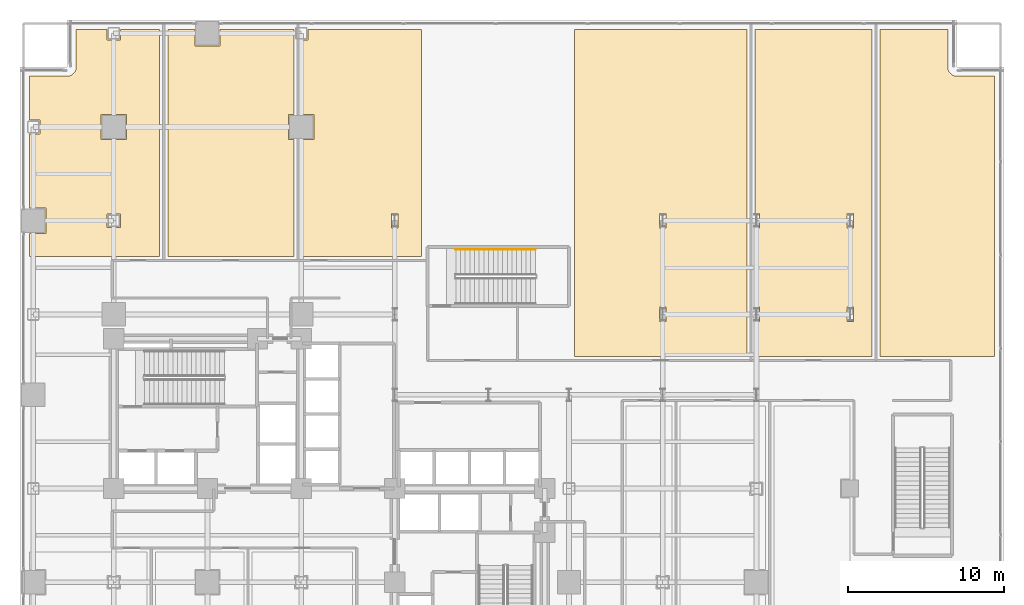
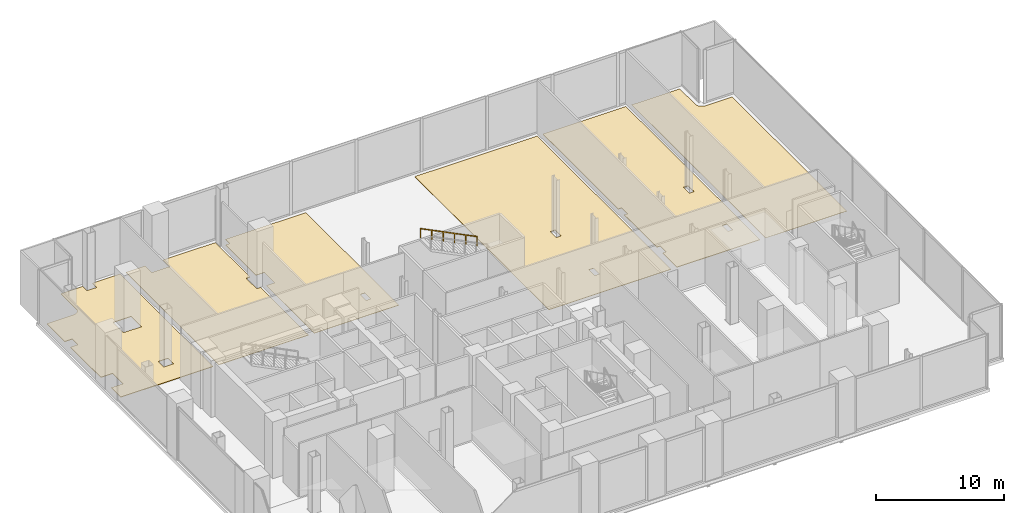
# One storey, part 27 of 27: 6 coverings, 1 railing.
"""IFC4 building model written with IfcOpenShell, lengths in metres."""

from ifc_helpers import new_model, si_unit, direction, frame, origin, origin_2d, place, context, subcontext, project, spatial, polyline, rectangle, outline, extrude, material, layer, layer_set, type_object, element, save


model = new_model("IFC4")

# Units and contexts
model_context = context("Model", 3, precision=1e-05, world=origin(), true_north=direction((0.0, 1.0)))
body_context = subcontext(model_context, "Body", "Model", "MODEL_VIEW")
ifc_project = project(units=[si_unit("LENGTHUNIT", "METRE"), si_unit("AREAUNIT", "SQUARE_METRE"), si_unit("VOLUMEUNIT", "CUBIC_METRE"), si_unit("PLANEANGLEUNIT", "RADIAN"), si_unit("MASSUNIT", "GRAM", prefix="KILO"), si_unit("THERMODYNAMICTEMPERATUREUNIT", "KELVIN"), si_unit("POWERUNIT", "WATT")], contexts=[model_context])

# Site, building, storey
site_placement = place(None, origin())
site = spatial("IfcSite", under=ifc_project, at=site_placement, CompositionType="ELEMENT")
building_placement = place(site_placement, origin())
building = spatial("IfcBuilding", under=site, at=building_placement, Name="Svarakhadi Broadcast Tower", CompositionType="ELEMENT")
storey_placement = place(building_placement, frame((0.0, 0.0, 16.5)))
storey = spatial("IfcBuildingStorey", under=building, at=storey_placement, Name="L03", CompositionType="ELEMENT", Elevation=16.5)

# Coverings
ifc_material_1 = material(Name="Heavy-Duty Anti-Static Broadcast Raised Access Floor", Category="steel")
ifc_layer_1 = layer(ifc_material_1, 0.050048828125)
ifc_layer_set_1 = layer_set([ifc_layer_1], Name="Heavy-Duty Anti-Static Broadcast Raised Access Floor")
covering_type_1 = type_object("IfcCoveringType", Name="Cov_Floor_Access", PredefinedType="FLOORING", material=ifc_layer_set_1)
covering_1_placement = place(storey_placement, origin())
element("IfcCovering", 1, at=covering_1_placement, inside=storey, type_object=covering_type_1, Name="L03 L03 Editorial Conference Room Floor Finish", PredefinedType="FLOORING", context=body_context, shape_type="SweptSolid", body=[
    extrude(outline(polyline([(54.5400390625, 47.389892578125), (54.5400390625, 26.4599609375), (47.06005859375, 26.4599609375), (47.06005859375, 28.68994140625), (47.360107421875, 28.68994140625), (47.360107421875, 29.610107421875), (47.06005859375, 29.610107421875), (47.06005859375, 34.68994140625), (47.360107421875, 34.68994140625), (47.360107421875, 35.610107421875), (47.06005859375, 35.610107421875), (47.06005859375, 47.389892578125), (54.5400390625, 47.389892578125)]), holes=[polyline([(52.93994140625, 28.68994140625), (53.360107421875, 28.68994140625), (53.360107421875, 29.610107421875), (52.93994140625, 29.610107421875), (52.93994140625, 28.68994140625)]), polyline([(52.93994140625, 34.68994140625), (53.360107421875, 34.68994140625), (53.360107421875, 35.610107421875), (52.93994140625, 35.610107421875), (52.93994140625, 34.68994140625)])]), origin(), (0.0, 0.0, 1.0), 0.050048828125),
])
covering_2_placement = place(storey_placement, origin())
element("IfcCovering", 2, at=covering_2_placement, inside=storey, type_object=covering_type_1, Name="L03 L03 Radio Drama Studio Floor Finish", PredefinedType="FLOORING", context=body_context, shape_type="SweptSolid", body=[
    extrude(outline(polyline([(0.610107421875, 32.860107421875), (0.610107421875, 34.340087890625), (1.659912109375, 34.340087890625), (1.659912109375, 35.9599609375), (0.610107421875, 35.9599609375), (0.610107421875, 40.715087890625), (1.284912109375, 40.715087890625), (1.284912109375, 41.5849609375), (0.610107421875, 41.5849609375), (0.610107421875, 44.39990234375), (3.0, 44.39990234375), (3.009033203125, 44.39990234375), (3.050048828125, 44.402099609375), (3.06689453125, 44.404052734375), (3.10791015625, 44.409912109375), (3.1259765625, 44.4130859375), (3.166015625, 44.423095703125), (3.18310546875, 44.428955078125), (3.221923828125, 44.443115234375), (3.239990234375, 44.449951171875), (3.277099609375, 44.468017578125), (3.291015625, 44.47607421875), (3.325927734375, 44.4970703125), (3.339111328125, 44.5048828125), (3.3720703125, 44.529052734375), (3.386962890625, 44.541015625), (3.41796875, 44.569091796875), (3.430908203125, 44.58203125), (3.458984375, 44.613037109375), (3.470947265625, 44.6279296875), (3.4951171875, 44.660888671875), (3.5029296875, 44.674072265625), (3.52392578125, 44.708984375), (3.531982421875, 44.722900390625), (3.550048828125, 44.760009765625), (3.556884765625, 44.778076171875), (3.571044921875, 44.81689453125), (3.576904296875, 44.833984375), (3.5869140625, 44.8740234375), (3.590087890625, 44.89208984375), (3.595947265625, 44.93310546875), (3.597900390625, 44.949951171875), (3.60009765625, 44.990966796875), (3.60009765625, 45.0), (3.60009765625, 47.389892578125), (5.56494140625, 47.389892578125), (5.56494140625, 46.715087890625), (6.43505859375, 46.715087890625), (6.43505859375, 47.389892578125), (8.93994140625, 47.389892578125), (8.93994140625, 32.860107421875), (0.610107421875, 32.860107421875)]), holes=[polyline([(5.56494140625, 34.715087890625), (6.43505859375, 34.715087890625), (6.43505859375, 35.5849609375), (5.56494140625, 35.5849609375), (5.56494140625, 34.715087890625)]), polyline([(5.18994140625, 40.340087890625), (6.81005859375, 40.340087890625), (6.81005859375, 41.9599609375), (5.18994140625, 41.9599609375), (5.18994140625, 40.340087890625)])]), origin(), (0.0, 0.0, 1.0), 0.050048828125),
])
ifc_material_2 = material(Name="Honed Konkan Basalt Stone Tile Flooring", Category="masonry")
ifc_layer_2 = layer(ifc_material_2, 0.034912109375)
ifc_layer_set_2 = layer_set([ifc_layer_2], Name="Honed Konkan Basalt Stone Tile Flooring")
covering_type_2 = type_object("IfcCoveringType", Name="Cov_Floor_Basalt", PredefinedType="FLOORING", material=ifc_layer_set_2)
covering_3_placement = place(storey_placement, origin())
element("IfcCovering", 3, at=covering_3_placement, inside=storey, type_object=covering_type_2, Name="L03 L03 Satellite Ingest and Playout Office Floor Finish", PredefinedType="FLOORING", context=body_context, shape_type="SweptSolid", body=[
    extrude(outline(polyline([(46.5400390625, 47.389892578125), (46.5400390625, 26.4599609375), (35.510009765625, 26.4599609375), (35.510009765625, 47.389892578125), (46.5400390625, 47.389892578125)]), holes=[polyline([(40.93994140625, 28.68994140625), (41.360107421875, 28.68994140625), (41.360107421875, 29.610107421875), (40.93994140625, 29.610107421875), (40.93994140625, 28.68994140625)]), polyline([(40.93994140625, 34.68994140625), (41.360107421875, 34.68994140625), (41.360107421875, 35.610107421875), (40.93994140625, 35.610107421875), (40.93994140625, 34.68994140625)])]), origin(), (0.0, 0.0, 1.0), 0.034912109375),
])
covering_4_placement = place(storey_placement, origin())
element("IfcCovering", 4, at=covering_4_placement, inside=storey, type_object=covering_type_2, Name="L03 L03 Scenic Prop Storage Room Floor Finish", PredefinedType="FLOORING", context=body_context, shape_type="SweptSolid", body=[
    extrude(outline(polyline([(11.18994140625, 47.389892578125), (11.18994140625, 46.340087890625), (12.81005859375, 46.340087890625), (12.81005859375, 47.389892578125), (17.5400390625, 47.389892578125), (17.5400390625, 41.9599609375), (17.18994140625, 41.9599609375), (17.18994140625, 40.340087890625), (17.5400390625, 40.340087890625), (17.5400390625, 32.860107421875), (9.4599609375, 32.860107421875), (9.4599609375, 47.389892578125), (11.18994140625, 47.389892578125)])), origin(), (0.0, 0.0, 1.0), 0.034912109375),
])
covering_5_placement = place(storey_placement, origin())
element("IfcCovering", 5, at=covering_5_placement, inside=storey, type_object=covering_type_2, Name="L03 L03 Broadcast Dressing Lounge Floor Finish", PredefinedType="FLOORING", context=body_context, shape_type="SweptSolid", body=[
    extrude(outline(polyline([(25.68994140625, 47.389892578125), (25.68994140625, 32.860107421875), (18.06005859375, 32.860107421875), (18.06005859375, 40.340087890625), (18.81005859375, 40.340087890625), (18.81005859375, 41.9599609375), (18.06005859375, 41.9599609375), (18.06005859375, 46.715087890625), (18.43505859375, 46.715087890625), (18.43505859375, 47.389892578125), (25.68994140625, 47.389892578125)]), holes=[polyline([(23.7900390625, 34.68994140625), (24.2099609375, 34.68994140625), (24.2099609375, 35.610107421875), (23.7900390625, 35.610107421875), (23.7900390625, 34.68994140625)])]), origin(), (0.0, 0.0, 1.0), 0.034912109375),
])
ifc_material_3 = material(Name="Polished White Marble-Chip Terrazzo Flooring", Category="masonry")
ifc_layer_3 = layer(ifc_material_3, 0.030029296875)
ifc_layer_set_3 = layer_set([ifc_layer_3], Name="Polished White Marble-Chip Terrazzo Flooring")
covering_type_3 = type_object("IfcCoveringType", Name="Cov_Floor_Terrazzo", PredefinedType="FLOORING", material=ifc_layer_set_3)
covering_6_placement = place(storey_placement, origin())
element("IfcCovering", 6, at=covering_6_placement, inside=storey, type_object=covering_type_3, Name="L03 L03 Staff Dining Canteen Floor Finish", PredefinedType="FLOORING", context=body_context, shape_type="SweptSolid", body=[
    extrude(outline(polyline([(55.06005859375, 47.389892578125), (59.39990234375, 47.389892578125), (59.39990234375, 45.0), (59.39990234375, 44.990966796875), (59.402099609375, 44.949951171875), (59.404052734375, 44.93310546875), (59.409912109375, 44.89208984375), (59.4130859375, 44.8740234375), (59.423095703125, 44.833984375), (59.428955078125, 44.81689453125), (59.443115234375, 44.778076171875), (59.449951171875, 44.760009765625), (59.468017578125, 44.722900390625), (59.47607421875, 44.708984375), (59.4970703125, 44.674072265625), (59.5048828125, 44.660888671875), (59.529052734375, 44.6279296875), (59.541015625, 44.613037109375), (59.569091796875, 44.58203125), (59.58203125, 44.569091796875), (59.613037109375, 44.541015625), (59.6279296875, 44.529052734375), (59.660888671875, 44.5048828125), (59.674072265625, 44.4970703125), (59.708984375, 44.47607421875), (59.722900390625, 44.468017578125), (59.760009765625, 44.449951171875), (59.778076171875, 44.443115234375), (59.81689453125, 44.428955078125), (59.833984375, 44.423095703125), (59.8740234375, 44.4130859375), (59.89208984375, 44.409912109375), (59.93310546875, 44.404052734375), (59.949951171875, 44.402099609375), (59.990966796875, 44.39990234375), (60.0, 44.39990234375), (62.389892578125, 44.39990234375), (62.389892578125, 26.4599609375), (55.06005859375, 26.4599609375), (55.06005859375, 47.389892578125)])), origin(), (0.0, 0.0, 1.0), 0.030029296875),
])

# Railing
ifc_material_4 = material(Name="Anodised Bronze Aluminium AA 6063-T6", Category="aluminium")
railing_type = type_object("IfcRailingType", Name="Handrail_Stair_HR01", PredefinedType="HANDRAIL", material=ifc_material_4)
railing_placement = place(storey_placement, frame((33.0, 33.31005859375, 2.85009765625)))
element("IfcRailing", 7, at=railing_placement, inside=storey, type_object=railing_type, Name="L03 ST-03 stair handrail 2", PredefinedType="HANDRAIL", context=body_context, shape_type="SweptSolid", body=[
    extrude(rectangle(XDim=0.048095703125, YDim=0.048095703125, at=origin_2d()), frame((0.0, 0.0, 0.8759765625), z_axis=(-0.89444431709, 0.0, 0.44717934168), x_axis=(0.0, -1.0, 0.0)), (0.0, 0.0, 1.0), 5.701904296875),
    extrude(rectangle(XDim=0.0419921875, YDim=0.0419921875, at=origin_2d()), origin(), (0.0, 0.0, 1.0), 0.851806640625),
    extrude(rectangle(XDim=0.0419921875, YDim=0.0419921875, at=origin_2d()), frame((-1.02001953125, 0.0, 0.510009765625)), (0.0, 0.0, 1.0), 0.851806640625),
    extrude(rectangle(XDim=0.0419921875, YDim=0.0419921875, at=origin_2d()), frame((-2.0400390625, 0.0, 1.02001953125)), (0.0, 0.0, 1.0), 0.851806640625),
    extrude(rectangle(XDim=0.0419921875, YDim=0.0419921875, at=origin_2d()), frame((-3.06005859375, 0.0, 1.52978515625)), (0.0, 0.0, 1.0), 0.851806640625),
    extrude(rectangle(XDim=0.0419921875, YDim=0.0419921875, at=origin_2d()), frame((-4.080078125, 0.0, 2.039794921875)), (0.0, 0.0, 1.0), 0.851806640625),
    extrude(rectangle(XDim=0.0419921875, YDim=0.0419921875, at=origin_2d()), frame((-5.10009765625, 0.0, 2.5498046875)), (0.0, 0.0, 1.0), 0.851806640625),
])

save(model, "model.ifc")
